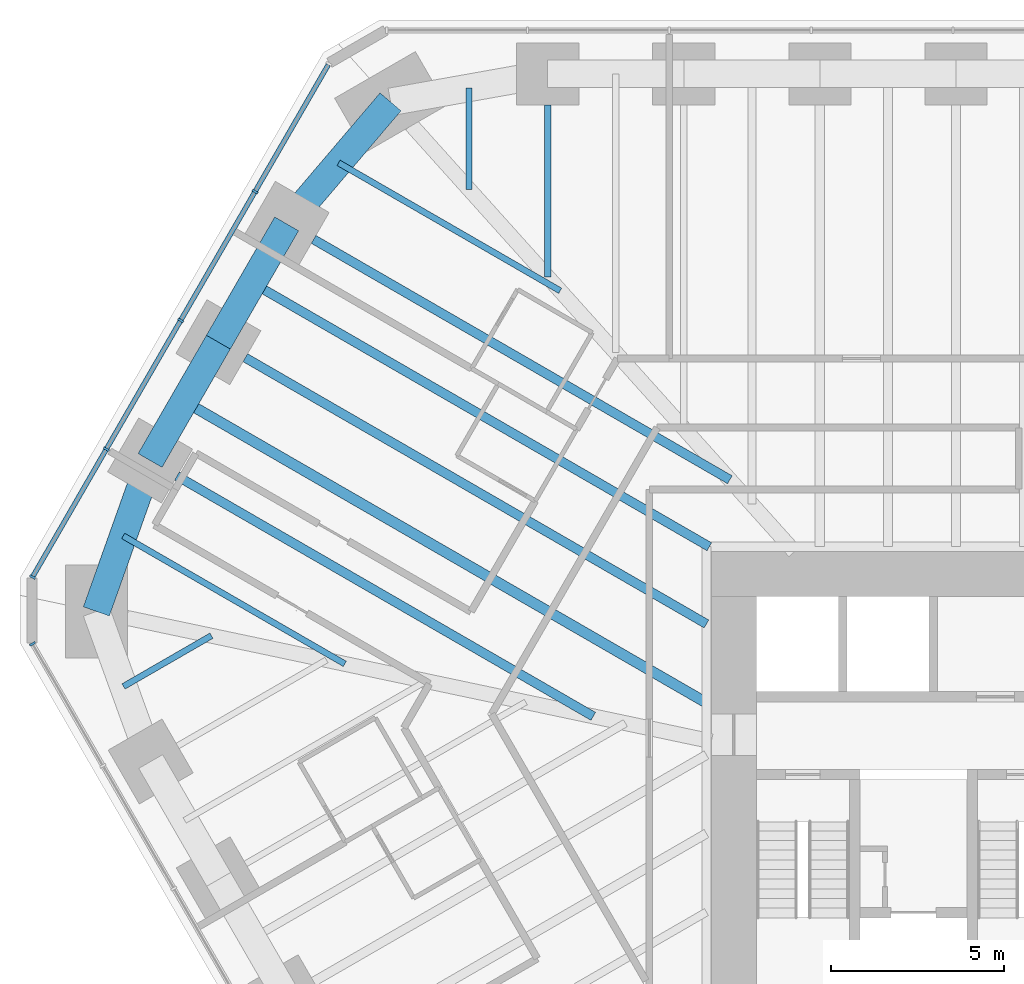
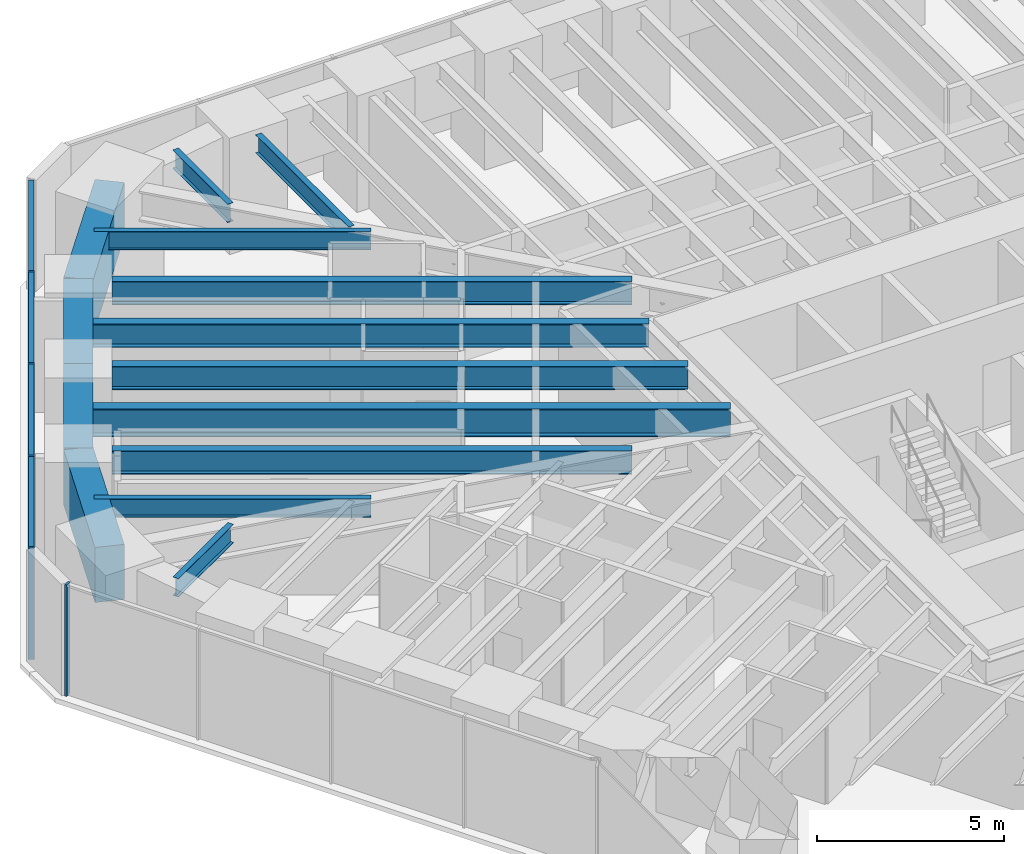
# One storey, part 7 of 16: 14 beams, 9 members, 2 elements without a shape of their own.
"""IFC4 building model written with IfcOpenShell, lengths in metres."""

from ifc_helpers import new_model, si_unit, direction, frame, origin, origin_2d, place, context, subcontext, project, spatial, rectangle, i_section, extrude, material, material_profile, profile_set, type_object, element, aggregate, save


model = new_model("IFC4")

# Units and contexts
model_context = context("Model", 3, precision=1e-05, world=origin(), true_north=direction((0.0, 1.0)))
body_context = subcontext(model_context, "Body", "Model", "MODEL_VIEW")
ifc_project = project(units=[si_unit("LENGTHUNIT", "METRE"), si_unit("AREAUNIT", "SQUARE_METRE"), si_unit("VOLUMEUNIT", "CUBIC_METRE"), si_unit("PLANEANGLEUNIT", "RADIAN"), si_unit("MASSUNIT", "GRAM", prefix="KILO")], contexts=[model_context])

# Site, building, storey
site_placement = place(None, origin())
site = spatial("IfcSite", under=ifc_project, at=site_placement, CompositionType="ELEMENT")
building_placement = place(site_placement, origin())
building = spatial("IfcBuilding", under=site, at=building_placement, Name="Sandreach Pilgrim Tower", CompositionType="ELEMENT")
storey_placement = place(building_placement, frame((0.0, 0.0, 131.0)))
storey = spatial("IfcBuildingStorey", under=building, at=storey_placement, Name="L32", CompositionType="ELEMENT", Elevation=131.0)

# Curtain wall, member
ifc_material_1 = material(Name="Aluminium framed curtain wall", Category="aluminium")
curtain_wall_type = type_object("IfcCurtainWallType", Name="Hotel tower curtain wall", PredefinedType="NOTDEFINED", material=ifc_material_1)
curtain_wall_1_placement = place(storey_placement, origin())
curtain_wall_1 = element("IfcCurtainWall", 1, at=curtain_wall_1_placement, inside=storey, type_object=curtain_wall_type, Name="CW-2 L32 SW", PredefinedType="NOTDEFINED")
ifc_material_2 = material(Name="Aluminium extrusion", Category="aluminium")
ifc_material_profile_1 = material_profile(ifc_material_2, rectangle(XDim=0.06494140625, YDim=0.179931640625, at=origin_2d()), Name="CW-2M 65X180")
ifc_profile_set_1 = profile_set([ifc_material_profile_1], Name="Aluminium extrusion")
member_type_1 = type_object("IfcMemberType", Name="CW-2 mullion", PredefinedType="MULLION", material=ifc_profile_set_1)
member_1_placement = place(storey_placement, frame((-28.70458984375, 4.730224609375, 0.0), z_axis=(0.0, 0.0, 1.0), x_axis=(-0.5, 0.866025403784, 0.0)))
member_1 = element("IfcMember", 2, at=member_1_placement, type_object=member_type_1, Name="CW-2 mullion 10", PredefinedType="MULLION", context=body_context, shape_type="SweptSolid", body=[
    extrude(rectangle(XDim=0.06494140625, YDim=0.179931640625, at=origin_2d()), origin(), (0.0, 0.0, 1.0), 3.639892578125),
])
aggregate(curtain_wall_1, [member_1])

# Curtain wall, members
curtain_wall_2_placement = place(storey_placement, origin())
curtain_wall_2 = element("IfcCurtainWall", 3, at=curtain_wall_2_placement, inside=storey, type_object=curtain_wall_type, Name="CW-2 L32 NW", PredefinedType="NOTDEFINED")
member_2_placement = place(storey_placement, frame((-28.70458984375, 6.66650390625, 0.0), z_axis=(0.0, 0.0, 1.0), x_axis=(0.5, 0.866025403784, 0.0)))
member_2 = element("IfcMember", 4, at=member_2_placement, type_object=member_type_1, Name="CW-2 mullion 1", PredefinedType="MULLION", context=body_context, shape_type="SweptSolid", body=[
    extrude(rectangle(XDim=0.06494140625, YDim=0.179931640625, at=origin_2d()), origin(), (0.0, 0.0, 1.0), 3.639892578125),
])
member_3_placement = place(storey_placement, frame((-26.568115234375, 10.3671875, 0.0), z_axis=(0.0, 0.0, 1.0), x_axis=(0.5, 0.866025403784, 0.0)))
member_3 = element("IfcMember", 5, at=member_3_placement, type_object=member_type_1, Name="CW-2 mullion 2", PredefinedType="MULLION", context=body_context, shape_type="SweptSolid", body=[
    extrude(rectangle(XDim=0.06494140625, YDim=0.179931640625, at=origin_2d()), origin(), (0.0, 0.0, 1.0), 3.639892578125),
])
member_4_placement = place(storey_placement, frame((-24.415283203125, 14.09619140625, 0.0), z_axis=(0.0, 0.0, 1.0), x_axis=(0.5, 0.866025403784, 0.0)))
member_4 = element("IfcMember", 6, at=member_4_placement, type_object=member_type_1, Name="CW-2 mullion 3", PredefinedType="MULLION", context=body_context, shape_type="SweptSolid", body=[
    extrude(rectangle(XDim=0.06494140625, YDim=0.179931640625, at=origin_2d()), origin(), (0.0, 0.0, 1.0), 3.639892578125),
])
member_5_placement = place(storey_placement, frame((-22.262451171875, 17.824951171875, 0.0), z_axis=(0.0, 0.0, 1.0), x_axis=(0.5, 0.866025403784, 0.0)))
member_5 = element("IfcMember", 7, at=member_5_placement, type_object=member_type_1, Name="CW-2 mullion 4", PredefinedType="MULLION", context=body_context, shape_type="SweptSolid", body=[
    extrude(rectangle(XDim=0.06494140625, YDim=0.179931640625, at=origin_2d()), origin(), (0.0, 0.0, 1.0), 3.639892578125),
])
ifc_material_3 = material(Name="Aluminium extrusion", Category="aluminium")
ifc_material_profile_2 = material_profile(ifc_material_3, rectangle(XDim=0.139892578125, YDim=0.070068359375, at=origin_2d()), Name="CW-2T 140X70")
ifc_profile_set_2 = profile_set([ifc_material_profile_2], Name="Aluminium extrusion")
member_type_2 = type_object("IfcMemberType", Name="CW-2 transom", PredefinedType="USERDEFINED", material=ifc_profile_set_2)
member_6_placement = place(storey_placement, frame((-28.6884765625, 6.69482421875, 3.60498046875), z_axis=(0.500038835258, 0.866002981077, 0.0), x_axis=(-0.866002981077, 0.500038835258, 0.0)))
member_6 = element("IfcMember", 8, at=member_6_placement, type_object=member_type_2, Name="CW-2 head transom 1", ObjectType="TRANSOM", PredefinedType="USERDEFINED", context=body_context, shape_type="SweptSolid", body=[
    extrude(rectangle(XDim=0.139892578125, YDim=0.070068359375, at=origin_2d()), origin(), (0.0, 0.0, 1.0), 4.208251953125),
])
member_7_placement = place(storey_placement, frame((-26.5517578125, 10.3955078125, 3.60498046875), z_axis=(0.500021471012, 0.866013007135, 0.0), x_axis=(-0.866013007135, 0.500021471012, 0.0)))
member_7 = element("IfcMember", 9, at=member_7_placement, type_object=member_type_2, Name="CW-2 head transom 2", ObjectType="TRANSOM", PredefinedType="USERDEFINED", context=body_context, shape_type="SweptSolid", body=[
    extrude(rectangle(XDim=0.139892578125, YDim=0.070068359375, at=origin_2d()), origin(), (0.0, 0.0, 1.0), 4.240478515625),
])
member_8_placement = place(storey_placement, frame((-24.39892578125, 14.124267578125, 3.60498046875), z_axis=(0.499996541496, 0.866027400544, 0.0), x_axis=(-0.866027400544, 0.499996541496, 0.0)))
member_8 = element("IfcMember", 10, at=member_8_placement, type_object=member_type_2, Name="CW-2 head transom 3", ObjectType="TRANSOM", PredefinedType="USERDEFINED", context=body_context, shape_type="SweptSolid", body=[
    extrude(rectangle(XDim=0.139892578125, YDim=0.070068359375, at=origin_2d()), origin(), (0.0, 0.0, 1.0), 4.24072265625),
])
member_9_placement = place(storey_placement, frame((-22.24609375, 17.85302734375, 3.60498046875), z_axis=(0.49997020258, 0.86604260665, 0.0), x_axis=(-0.86604260665, 0.49997020258, 0.0)))
member_9 = element("IfcMember", 11, at=member_9_placement, type_object=member_type_2, Name="CW-2 head transom 4", ObjectType="TRANSOM", PredefinedType="USERDEFINED", context=body_context, shape_type="SweptSolid", body=[
    extrude(rectangle(XDim=0.139892578125, YDim=0.070068359375, at=origin_2d()), origin(), (0.0, 0.0, 1.0), 4.208251953125),
])
aggregate(curtain_wall_2, [member_2, member_3, member_4, member_5, member_6, member_7, member_8, member_9])

# Beams
ifc_material_4 = material(Name="Steel ASTM A992 Grade 50", Category="steel")
ifc_material_profile_3 = material_profile(ifc_material_4, i_section(OverallWidth=0.1787109375, OverallDepth=0.60205078125, WebThickness=0.010986328125, FlangeThickness=0.014892578125, at=origin_2d()), Name="W24X62")
ifc_profile_set_3 = profile_set([ifc_material_profile_3], Name="Steel ASTM A992 Grade 50")
beam_type_1 = type_object("IfcBeamType", Name="Floor beam W24X62", PredefinedType="BEAM", material=ifc_profile_set_3)
beam_1_placement = place(storey_placement, frame((-13.789794921875, 20.333740234375, 3.339111328125), z_axis=(0.0, -1.0, 0.0), x_axis=(1.0, 0.0, 0.0)))
element("IfcBeam", 12, at=beam_1_placement, inside=storey, type_object=beam_type_1, Name="BM L32 F01", PredefinedType="BEAM", context=body_context, shape_type="SweptSolid", body=[
    extrude(i_section(OverallWidth=0.1787109375, OverallDepth=0.60205078125, WebThickness=0.010986328125, FlangeThickness=0.014892578125, at=origin_2d()), origin(), (0.0, 0.0, 1.0), 4.9765625),
])
beam_2_placement = place(storey_placement, frame((-26.070556640625, 3.498046875, 3.339111328125), z_axis=(0.866051374412, 0.499955014855, 0.0), x_axis=(-0.499955014855, 0.866051374412, 0.0)))
element("IfcBeam", 13, at=beam_2_placement, inside=storey, type_object=beam_type_1, Name="BM L32 FM34", PredefinedType="BEAM", context=body_context, shape_type="SweptSolid", body=[
    extrude(i_section(OverallWidth=0.1787109375, OverallDepth=0.60205078125, WebThickness=0.010986328125, FlangeThickness=0.014892578125, at=origin_2d()), origin(), (0.0, 0.0, 1.0), 2.938232421875),
])
for number, where, z_axis, x_axis, name in (
    (14, (-26.079345703125, 7.855712890625, 3.339111328125), (0.866025875064, -0.499999183719, 0.0), (0.499999183719, 0.866025875064, 0.0), "BM L32 FM35"),
    (15, (-19.8427734375, 18.65771484375, 3.339111328125), (0.866025875064, -0.499999183719, 0.0), (0.499999183719, 0.866025875064, 0.0), "BM L32 FM38"),
):
    element("IfcBeam", number, at=place(storey_placement, frame(where, z_axis=z_axis, x_axis=x_axis)), inside=storey, type_object=beam_type_1, Name=name, PredefinedType="BEAM", context=body_context, shape_type="SweptSolid", body=[
        extrude(i_section(OverallWidth=0.1787109375, OverallDepth=0.60205078125, WebThickness=0.010986328125, FlangeThickness=0.014892578125, at=origin_2d()), origin(), (0.0, 0.0, 1.0), 7.40771484375),
    ])
beam_3_placement = place(storey_placement, frame((-16.064697265625, 20.828857421875, 3.339111328125), z_axis=(0.0, -1.0, 0.0), x_axis=(1.0, 0.0, 0.0)))
element("IfcBeam", 16, at=beam_3_placement, inside=storey, type_object=beam_type_1, Name="BM L32 FM39", PredefinedType="BEAM", context=body_context, shape_type="SweptSolid", body=[
    extrude(i_section(OverallWidth=0.1787109375, OverallDepth=0.60205078125, WebThickness=0.010986328125, FlangeThickness=0.014892578125, at=origin_2d()), origin(), (0.0, 0.0, 1.0), 2.938232421875),
])
ifc_material_5 = material(Name="Steel ASTM A992 Grade 50", Category="steel")
ifc_material_profile_4 = material_profile(ifc_material_5, i_section(OverallWidth=0.2666015625, OverallDepth=0.761962890625, WebThickness=0.014404296875, FlangeThickness=0.021484375, at=origin_2d()), Name="W30X116")
ifc_profile_set_4 = profile_set([ifc_material_profile_4], Name="Steel ASTM A992 Grade 50")
beam_type_2 = type_object("IfcBeamType", Name="Floor beam W30X116", PredefinedType="BEAM", material=ifc_profile_set_4)
beam_4_placement = place(storey_placement, frame((-24.522216796875, 9.5908203125, 3.259033203125), z_axis=(0.866026649588, -0.499997842199, 0.0), x_axis=(0.499997842199, 0.866026649588, 0.0)))
element("IfcBeam", 17, at=beam_4_placement, inside=storey, type_object=beam_type_2, Name="BM L32 F36", PredefinedType="BEAM", context=body_context, shape_type="SweptSolid", body=[
    extrude(i_section(OverallWidth=0.2666015625, OverallDepth=0.761962890625, WebThickness=0.014404296875, FlangeThickness=0.021484375, at=origin_2d()), origin(), (0.0, 0.0, 1.0), 13.91552734375),
])
beam_5_placement = place(storey_placement, frame((-20.56689453125, 16.44140625, 3.259033203125), z_axis=(0.866022263426, -0.500005439221, 0.0), x_axis=(0.500005439221, 0.866022263426, 0.0)))
element("IfcBeam", 18, at=beam_5_placement, inside=storey, type_object=beam_type_2, Name="BM L32 F38", PredefinedType="BEAM", context=body_context, shape_type="SweptSolid", body=[
    extrude(i_section(OverallWidth=0.2666015625, OverallDepth=0.761962890625, WebThickness=0.014404296875, FlangeThickness=0.021484375, at=origin_2d()), origin(), (0.0, 0.0, 1.0), 13.915283203125),
])
ifc_material_6 = material(Name="Steel ASTM A992 Grade 50", Category="steel")
ifc_material_profile_5 = material_profile(ifc_material_6, i_section(OverallWidth=0.2666015625, OverallDepth=0.77978515625, WebThickness=0.0166015625, FlangeThickness=0.030029296875, at=origin_2d()), Name="W30X148")
ifc_profile_set_5 = profile_set([ifc_material_profile_5], Name="Steel ASTM A992 Grade 50")
beam_type_3 = type_object("IfcBeamType", Name="Floor beam W30X148", PredefinedType="BEAM", material=ifc_profile_set_5)
beam_6_placement = place(storey_placement, frame((-22.544677734375, 13.01611328125, 3.25), z_axis=(0.866029203842, -0.49999341805, 0.0), x_axis=(0.49999341805, 0.866029203842, 0.0)))
element("IfcBeam", 19, at=beam_6_placement, inside=storey, type_object=beam_type_3, Name="BM L32 F37", PredefinedType="BEAM", context=body_context, shape_type="SweptSolid", body=[
    extrude(i_section(OverallWidth=0.2666015625, OverallDepth=0.77978515625, WebThickness=0.0166015625, FlangeThickness=0.030029296875, at=origin_2d()), origin(), (0.0, 0.0, 1.0), 15.416748046875),
])
beam_7_placement = place(storey_placement, frame((-22.335205078125, 15.1787109375, 3.25), z_axis=(0.866028773314, -0.499994163758, 0.0), x_axis=(0.499994163758, 0.866028773314, 0.0)))
element("IfcBeam", 20, at=beam_7_placement, inside=storey, type_object=beam_type_3, Name="BM L32 FM37", PredefinedType="BEAM", context=body_context, shape_type="SweptSolid", body=[
    extrude(i_section(OverallWidth=0.2666015625, OverallDepth=0.77978515625, WebThickness=0.0166015625, FlangeThickness=0.030029296875, at=origin_2d()), origin(), (0.0, 0.0, 1.0), 15.270751953125),
])
ifc_material_7 = material(Name="Steel ASTM A992 Grade 50", Category="steel")
ifc_material_profile_6 = material_profile(ifc_material_7, i_section(OverallWidth=0.3046875, OverallDepth=0.914306640625, WebThickness=0.0166015625, FlangeThickness=0.02587890625, at=origin_2d()), Name="W36X160")
ifc_profile_set_6 = profile_set([ifc_material_profile_6], Name="Steel ASTM A992 Grade 50")
beam_type_4 = type_object("IfcBeamType", Name="Floor beam W36X160", PredefinedType="BEAM", material=ifc_profile_set_6)
beam_8_placement = place(storey_placement, frame((-24.312744140625, 11.75341796875, 3.182861328125), z_axis=(0.866023737483, -0.500002886107, 0.0), x_axis=(0.500002886107, 0.866023737483, 0.0)))
element("IfcBeam", 21, at=beam_8_placement, inside=storey, type_object=beam_type_4, Name="BM L32 FM36", PredefinedType="BEAM", context=body_context, shape_type="SweptSolid", body=[
    extrude(i_section(OverallWidth=0.3046875, OverallDepth=0.914306640625, WebThickness=0.0166015625, FlangeThickness=0.02587890625, at=origin_2d()), origin(), (0.0, 0.0, 1.0), 17.45849609375),
])
ifc_material_8 = material(Name="Concrete 10000 psi", Category="concrete")
ifc_material_profile_7 = material_profile(ifc_material_8, rectangle(XDim=0.800048828125, YDim=1.800048828125, at=origin_2d()), Name="RC800X1800")
ifc_profile_set_7 = profile_set([ifc_material_profile_7], Name="Concrete 10000 psi")
beam_type_5 = type_object("IfcBeamType", Name="Spandrel beam RC800X1800", PredefinedType="SPANDREL", material=ifc_profile_set_7)
beam_9_placement = place(storey_placement, frame((-26.857177734375, 5.67041015625, 2.739990234375), z_axis=(0.335346041399, 0.942095023083, 0.0), x_axis=(-0.942095023083, 0.335346041399, 0.0)))
element("IfcBeam", 22, at=beam_9_placement, inside=storey, type_object=beam_type_5, Name="BM L32 SP35", PredefinedType="SPANDREL", context=body_context, shape_type="SweptSolid", body=[
    extrude(rectangle(XDim=0.800048828125, YDim=1.800048828125, at=origin_2d()), origin(), (0.0, 0.0, 1.0), 4.638916015625),
])
for number, where, z_axis, x_axis, name in (
    (23, (-25.301513671875, 10.040771484375, 2.739990234375), (0.499989616998, 0.866031398331, 0.0), (-0.866031398331, 0.499989616998, 0.0), "BM L32 SP36"),
    (24, (-23.323974609375, 13.466064453125, 2.739990234375), (0.499989616998, 0.866031398331, 0.0), (-0.866031398331, 0.499989616998, 0.0), "BM L32 SP37"),
):
    element("IfcBeam", number, at=place(storey_placement, frame(where, z_axis=z_axis, x_axis=x_axis)), inside=storey, type_object=beam_type_5, Name=name, PredefinedType="SPANDREL", context=body_context, shape_type="SweptSolid", body=[
        extrude(rectangle(XDim=0.800048828125, YDim=1.800048828125, at=origin_2d()), origin(), (0.0, 0.0, 1.0), 3.955078125),
    ])
beam_10_placement = place(storey_placement, frame((-21.346435546875, 16.891357421875, 2.739990234375), z_axis=(0.648208888384, 0.761462564425, 0.0), x_axis=(-0.761462564425, 0.648208888384, 0.0)))
element("IfcBeam", 25, at=beam_10_placement, inside=storey, type_object=beam_type_5, Name="BM L32 SP38", PredefinedType="SPANDREL", context=body_context, shape_type="SweptSolid", body=[
    extrude(rectangle(XDim=0.800048828125, YDim=1.800048828125, at=origin_2d()), origin(), (0.0, 0.0, 1.0), 4.63916015625),
])

save(model, "model.ifc")
